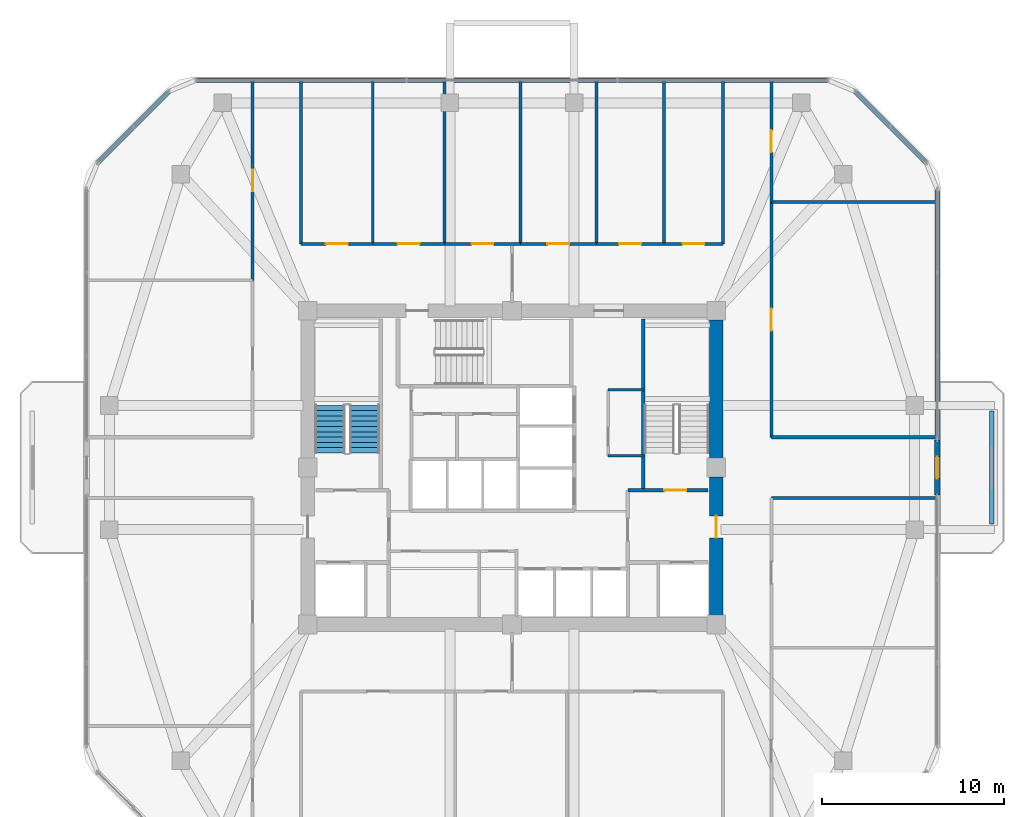
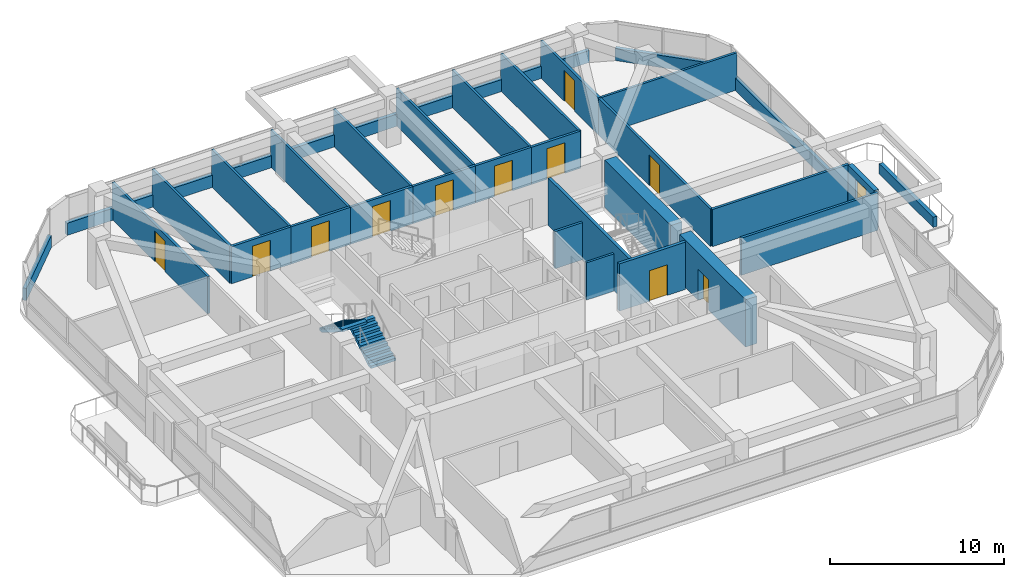
# One storey, part 10 of 13: 31 walls, 12 doors, 2 stair flights, 12 openings, 1 element without a shape of its own.
"""IFC4 building model written with IfcOpenShell, lengths in metres."""

import ifcopenshell
import ifcopenshell.guid

model = None  # the IFC model being written
_history = None  # IfcOwnerHistory: only IFC2X3 demands one
_inside = {}  # id of a spatial element -> (the spatial element, [elements in it])
_under = {}  # id of a project, library or spatial element -> (it, [spatial elements below it])
_declared = {}  # id of a project -> (the project, [libraries it declares])
_typed = {}  # id of a type object -> (the type object, [elements of that type])
_made_of = {}  # id of a material, layer set ... -> (it, [elements and type objects made of it])


def new_model(schema):
    """Start an empty IFC model of exactly this schema.

    Asked for "IFC4X3", IfcOpenShell would pick the latest addendum, in which some entities
    have other attributes; the version numbers below select the first issue.
    IFC2X3 requires an IfcOwnerHistory on every rooted entity: one is made here for all.
    """
    global model, _history
    if schema == "IFC4X3":
        model = ifcopenshell.file(schema_version=(4, 3, 0, 0))
    else:
        model = ifcopenshell.file(schema=schema)
    _inside.clear()
    _under.clear()
    _declared.clear()
    _typed.clear()
    _made_of.clear()
    _history = None
    if model.schema == "IFC2X3":
        org = make("IfcOrganization", Name="unknown")
        user = make(
            "IfcPersonAndOrganization",
            ThePerson=make("IfcPerson", FamilyName="unknown"),
            TheOrganization=org,
        )
        app = make(
            "IfcApplication",
            ApplicationDeveloper=org,
            Version="unknown",
            ApplicationFullName="unknown",
            ApplicationIdentifier="unknown",
        )
        _history = make(
            "IfcOwnerHistory",
            OwningUser=user,
            OwningApplication=app,
            ChangeAction="ADDED",
            CreationDate=0,
        )
    return model


def make(cls, **values):
    """One entity of the class cls with the attributes given. An attribute that is None is left unset."""
    return model.create_entity(
        cls, **{name: value for name, value in values.items() if value is not None}
    )


def rooted(cls, **values):
    """An entity with a GlobalId (a new one), such as an element, a storey or a relation."""
    return make(cls, GlobalId=ifcopenshell.guid.new(), OwnerHistory=_history, **values)


def si_unit(unit_type, name, prefix=None):
    """IfcSIUnit, for example si_unit("LENGTHUNIT", "METRE", prefix="MILLI")."""
    return make("IfcSIUnit", UnitType=unit_type, Prefix=prefix, Name=name)


def derived_unit(unit_type, elements):
    """IfcDerivedUnit: a product of units, each with its exponent."""
    return make(
        "IfcDerivedUnit",
        Elements=[
            make("IfcDerivedUnitElement", Unit=unit, Exponent=power)
            for unit, power in elements
        ],
        UnitType=unit_type,
    )


def assignment(units):
    """IfcUnitAssignment: the units of a project."""
    return None if units is None else make("IfcUnitAssignment", Units=units)


def point(xyz):
    """IfcCartesianPoint."""
    return None if xyz is None else make("IfcCartesianPoint", Coordinates=xyz)


def direction(xyz):
    """IfcDirection."""
    return None if xyz is None else make("IfcDirection", DirectionRatios=xyz)


def frame(location, z_axis=None, x_axis=None):
    """IfcAxis2Placement3D, a coordinate frame: its origin and axes. An axis left out is left unset."""
    return make(
        "IfcAxis2Placement3D",
        Location=point(location),
        Axis=direction(z_axis),
        RefDirection=direction(x_axis),
    )


def frame_2d(location, x_axis=None):
    """IfcAxis2Placement2D, a coordinate frame in the plane: its origin and x axis."""
    return make(
        "IfcAxis2Placement2D", Location=point(location), RefDirection=direction(x_axis)
    )


def origin():
    """The frame at (0, 0, 0) with its axes left unset."""
    return frame((0.0, 0.0, 0.0))


def place(relative_to, where):
    """IfcLocalPlacement: puts the frame where relative to a parent placement (None: the world)."""
    return make(
        "IfcLocalPlacement", PlacementRelTo=relative_to, RelativePlacement=where
    )


def context(
    kind, dimensions, precision=None, world=None, true_north=None, identifier=None
):
    """IfcGeometricRepresentationContext, for example the 3D "Model" context."""
    return make(
        "IfcGeometricRepresentationContext",
        ContextIdentifier=identifier,
        ContextType=kind,
        CoordinateSpaceDimension=dimensions,
        Precision=precision,
        WorldCoordinateSystem=world,
        TrueNorth=true_north,
    )


def subcontext(parent, identifier, kind, view, scale=None):
    """IfcGeometricRepresentationSubContext, for example "Body" below "Model"."""
    return make(
        "IfcGeometricRepresentationSubContext",
        ContextIdentifier=identifier,
        ContextType=kind,
        ParentContext=parent,
        TargetScale=scale,
        TargetView=view,
    )


def project(units=None, contexts=None):
    """IfcProject with its units and contexts."""
    return rooted(
        "IfcProject",
        Name="project",
        RepresentationContexts=contexts,
        UnitsInContext=assignment(units),
    )


def spatial(cls, under=None, at=None, **own):
    """A site, building, storey or space (cls), placed at a placement, below another one or the project."""
    s = rooted(cls, ObjectPlacement=at, **own)
    if under is not None:
        _under.setdefault(under.id(), (under, []))[1].append(s)
    return s


def polyline(points):
    """IfcPolyline through the points."""
    return make("IfcPolyline", Points=[point(p) for p in points])


def profile(cls, at=None, kind="AREA", **sizes):
    """A parametric profile (cls). Its sizes go by their IFC names, for example OverallWidth=200.0."""
    return make(cls, ProfileType=kind, Position=at, **sizes)


def rectangle(**sizes):
    """IfcRectangleProfileDef."""
    return profile("IfcRectangleProfileDef", **sizes)


def outline(outer, holes=None, kind="AREA"):
    """IfcArbitraryClosedProfileDef: a profile drawn as a closed curve; with holes, ...WithVoids."""
    if holes is None:
        return make("IfcArbitraryClosedProfileDef", ProfileType=kind, OuterCurve=outer)
    return make(
        "IfcArbitraryProfileDefWithVoids",
        ProfileType=kind,
        OuterCurve=outer,
        InnerCurves=holes,
    )


def extrude(swept, where, along, depth):
    """IfcExtrudedAreaSolid: the profile swept, set in the frame where, extruded along a direction by depth."""
    return make(
        "IfcExtrudedAreaSolid",
        SweptArea=swept,
        Position=where,
        ExtrudedDirection=direction(along),
        Depth=depth,
    )


def shape(context_of_items, identifier, shape_type, items):
    """IfcShapeRepresentation: the items that make up one representation, for example the "Body"."""
    return make(
        "IfcShapeRepresentation",
        ContextOfItems=context_of_items,
        RepresentationIdentifier=identifier,
        RepresentationType=shape_type,
        Items=items,
    )


def material(Name=None, Category=None):
    """IfcMaterial."""
    return make("IfcMaterial", Name=Name, Category=Category)


def layer(
    of_material, thickness, ventilated=None, Name=None, Category=None, Priority=None
):
    """IfcMaterialLayer: one layer of a wall or slab, of a material (None: an air gap)."""
    return make(
        "IfcMaterialLayer",
        Material=of_material,
        LayerThickness=thickness,
        IsVentilated=ventilated,
        Name=Name,
        Category=Category,
        Priority=Priority,
    )


def layer_set(layers, Name=None):
    """IfcMaterialLayerSet."""
    return make("IfcMaterialLayerSet", MaterialLayers=layers, LayerSetName=Name)


def made_of(thing, what):
    """Note that an element or type object is made of a material, layer set ...; save() writes the relation."""
    if what is not None:
        _made_of.setdefault(what.id(), (what, []))[1].append(thing)
    return thing


def type_object(cls, material=None, **own):
    """A type object (cls), such as IfcWallType, which elements share."""
    return made_of(rooted(cls, **own), material)


def element(
    cls,
    number,
    at=None,
    inside=None,
    cuts=None,
    type_object=None,
    material=None,
    context=None,
    identifier="Body",
    shape_type=None,
    held_by="IfcProductDefinitionShape",
    body=None,
    shapes=None,
    **own,
):
    """One element of the class cls, such as IfcWall. Its Tag is "e" and its number.

    at: its placement. inside: the storey or other place that contains it. cuts: it is an
    opening in that element (IfcRelVoidsElement). A single representation is given by context,
    identifier, shape_type and body (its items); several are given by shapes. held_by: the class
    of the entity that holds the representations. save() writes the other relations.
    """
    e = rooted(cls, Tag="e%d" % number, ObjectPlacement=at, **own)
    if body is not None:
        shapes = [shape(context, identifier, shape_type, body)]
    if shapes is not None:
        e.Representation = make(held_by, Representations=shapes)
    if inside is not None:
        _inside.setdefault(inside.id(), (inside, []))[1].append(e)
    if cuts is not None:
        rooted(
            "IfcRelVoidsElement", RelatingBuildingElement=cuts, RelatedOpeningElement=e
        )
    if type_object is not None:
        _typed.setdefault(type_object.id(), (type_object, []))[1].append(e)
    return made_of(e, material)


def fill(opening, filler):
    """IfcRelFillsElement: the door or window that sits in an opening."""
    return rooted(
        "IfcRelFillsElement",
        RelatingOpeningElement=opening,
        RelatedBuildingElement=filler,
    )


def aggregate(whole, parts):
    """IfcRelAggregates: a whole, such as a stair, and the parts it consists of."""
    return rooted("IfcRelAggregates", RelatingObject=whole, RelatedObjects=parts)


def save(model, path):
    """Write the relations noted so far, then the file.

    IfcRelAggregates (storeys below a building ...), IfcRelContainedInSpatialStructure (elements
    in a storey), IfcRelDefinesByType, IfcRelAssociatesMaterial and IfcRelDeclares: one each for
    every whole, place, type object, material and project.
    """
    for whole, parts in _under.values():
        aggregate(whole, parts)
    for where, things in _inside.values():
        rooted(
            "IfcRelContainedInSpatialStructure",
            RelatedElements=things,
            RelatingStructure=where,
        )
    for kind, things in _typed.values():
        rooted("IfcRelDefinesByType", RelatedObjects=things, RelatingType=kind)
    for what, things in _made_of.values():
        rooted("IfcRelAssociatesMaterial", RelatedObjects=things, RelatingMaterial=what)
    for by, libraries in _declared.values():
        rooted("IfcRelDeclares", RelatingContext=by, RelatedDefinitions=libraries)
    model.write(path)


model = new_model("IFC4")

# Units and contexts
model_context = context("Model", 3, precision=1e-05, world=origin(), true_north=direction((0.0, 1.0)))
body_context = subcontext(model_context, "Body", "Model", "MODEL_VIEW")
ifc_project = project(units=[si_unit("LENGTHUNIT", "METRE"), si_unit("AREAUNIT", "SQUARE_METRE"), si_unit("VOLUMEUNIT", "CUBIC_METRE"), si_unit("PLANEANGLEUNIT", "RADIAN"), si_unit("MASSUNIT", "GRAM", prefix="KILO"), derived_unit("THERMALTRANSMITTANCEUNIT", [(si_unit("POWERUNIT", "WATT"), 1), (si_unit("LENGTHUNIT", "METRE"), -2), (si_unit("THERMODYNAMICTEMPERATUREUNIT", "KELVIN"), -1)])], contexts=[model_context])

# Site, building, storey
site_placement = place(None, origin())
site = spatial("IfcSite", under=ifc_project, at=site_placement, CompositionType="ELEMENT")
building_placement = place(site_placement, origin())
building = spatial("IfcBuilding", under=site, at=building_placement, Name="Koralith Skygarden Medical Center", CompositionType="ELEMENT")
storey_placement = place(building_placement, frame((0.0, 0.0, 156.419921875)))
storey = spatial("IfcBuildingStorey", under=building, at=storey_placement, Name="L40", CompositionType="ELEMENT", Elevation=156.419921875)

# Walls
ifc_material_1 = material(Name="Gypsum Board Partition")
ifc_layer_1 = layer(ifc_material_1, 0.14990234375)
ifc_layer_set_1 = layer_set([ifc_layer_1], Name="Gypsum Board Partition")
wall_type_1 = type_object("IfcWallType", Name="Clinical Acoustic Partition 150", PredefinedType="PARTITIONING", material=ifc_layer_set_1)
for number, where, z_axis, x_axis, name in (
    (1, (42.27001953125, 26.5400390625, 0.0), (0.0, 0.0, 1.0), (1.0, 0.0, 0.0), "L40 Clinical Acoustic Partition 150 W-CORE-L40-ESUB-S"),
    (2, (42.27001953125, 30.159912109375, 0.0), (0.0, 0.0, 1.0), (1.0, 0.0, 0.0), "L40 Clinical Acoustic Partition 150 W-CORE-L40-ESUB-N"),
):
    element("IfcWall", number, at=place(storey_placement, frame(where, z_axis=z_axis, x_axis=x_axis)), inside=storey, type_object=wall_type_1, Name=name, PredefinedType="PARTITIONING", context=body_context, shape_type="SweptSolid", body=[
        extrude(rectangle(XDim=1.929931640625, YDim=0.14990234375, at=frame_2d((0.96484375, 0.0))), origin(), (0.0, 0.0, 1.0), 2.610107421875),
    ])
for number, where, z_axis, x_axis, name in (
    (3, (29.3701171875, 38.159912109375, 0.0), (0.0, 0.0, 1.0), (0.0, 1.0, 0.0), "L40 Clinical Acoustic Partition 150 W-PART-L40-N-01"),
    (4, (33.301025390625, 38.159912109375, 0.0), (0.0, 0.0, 1.0), (0.0, 1.0, 0.0), "L40 Clinical Acoustic Partition 150 W-PART-L40-N-02"),
    (5, (37.4619140625, 38.159912109375, 0.0), (0.0, 0.0, 1.0), (0.0, 1.0, 0.0), "L40 Clinical Acoustic Partition 150 W-PART-L40-N-03"),
    (6, (41.6240234375, 38.159912109375, 0.0), (0.0, 0.0, 1.0), (0.0, 1.0, 0.0), "L40 Clinical Acoustic Partition 150 W-PART-L40-N-04"),
    (7, (45.322998046875, 38.159912109375, 0.0), (0.0, 0.0, 1.0), (0.0, 1.0, 0.0), "L40 Clinical Acoustic Partition 150 W-PART-L40-N-05"),
):
    element("IfcWall", number, at=place(storey_placement, frame(where, z_axis=z_axis, x_axis=x_axis)), inside=storey, type_object=wall_type_1, Name=name, PredefinedType="PARTITIONING", context=body_context, shape_type="SweptSolid", body=[
        extrude(rectangle(XDim=8.940185546875, YDim=0.14990234375, at=frame_2d((4.47021484375, 0.0))), origin(), (0.0, 0.0, 1.0), 2.610107421875),
    ])
wall_1_placement = place(storey_placement, frame((51.2099609375, 40.4560546875, 0.0), z_axis=(0.0, 0.0, 1.0), x_axis=(1.0, 0.0, 0.0)))
element("IfcWall", 8, at=wall_1_placement, inside=storey, type_object=wall_type_1, Name="L40 Clinical Acoustic Partition 150 W-PART-L40-EN-01", PredefinedType="PARTITIONING", context=body_context, shape_type="SweptSolid", body=[
    extrude(rectangle(XDim=9.073974609375, YDim=0.14990234375, at=frame_2d((4.537109375, 0.0))), origin(), (0.0, 0.0, 1.0), 2.610107421875),
])
ifc_layer_2 = layer(ifc_material_1, 0.1650390625)
ifc_layer_set_2 = layer_set([ifc_layer_2], Name="Gypsum Board Partition")
wall_type_2 = type_object("IfcWallType", Name="Clinical Corridor Partition 165", PredefinedType="PARTITIONING", material=ifc_layer_set_2)
for number, where, z_axis, x_axis, name in (
    (9, (25.429931640625, 38.159912109375, 0.0), (0.0, 0.0, 1.0), (0.0, 1.0, 0.0), "L40 Clinical Corridor Partition 165 W-HCOR-L40-NW"),
    (10, (48.570068359375, 38.159912109375, 0.0), (0.0, 0.0, 1.0), (0.0, 1.0, 0.0), "L40 Clinical Corridor Partition 165 W-HCOR-L40-NE"),
):
    element("IfcWall", number, at=place(storey_placement, frame(where, z_axis=z_axis, x_axis=x_axis)), inside=storey, type_object=wall_type_2, Name=name, PredefinedType="PARTITIONING", context=body_context, shape_type="SweptSolid", body=[
        extrude(rectangle(XDim=8.940185546875, YDim=0.1650390625, at=frame_2d((4.47021484375, 0.0))), origin(), (0.0, 0.0, 1.0), 2.610107421875),
    ])
for number, where, z_axis, x_axis, name in (
    (11, (51.2099609375, 24.239990234375, 0.0), (0.0, 0.0, 1.0), (1.0, 0.0, 0.0), "L40 Clinical Corridor Partition 165 W-HCOR-L40-EWS-E"),
    (12, (51.2099609375, 27.56005859375, 0.0), (0.0, 0.0, 1.0), (1.0, 0.0, 0.0), "L40 Clinical Corridor Partition 165 W-HCOR-L40-EWN-E"),
):
    element("IfcWall", number, at=place(storey_placement, frame(where, z_axis=z_axis, x_axis=x_axis)), inside=storey, type_object=wall_type_2, Name=name, PredefinedType="PARTITIONING", context=body_context, shape_type="SweptSolid", body=[
        extrude(rectangle(XDim=9.073974609375, YDim=0.1650390625, at=frame_2d((4.537109375, 0.0))), origin(), (0.0, 0.0, 1.0), 2.610107421875),
    ])

# Wall, opening, door
wall_2_placement = place(storey_placement, frame((25.429931640625, 38.159912109375, 0.0), z_axis=(0.0, 0.0, 1.0), x_axis=(1.0, 0.0, 0.0)))
wall_2 = element("IfcWall", 13, at=wall_2_placement, inside=storey, type_object=wall_type_2, Name="L40 Clinical Corridor Partition 165 W-CORR-L40-N-01", PredefinedType="PARTITIONING", context=body_context, shape_type="SweptSolid", body=[
    extrude(rectangle(XDim=3.940185546875, YDim=0.1650390625, at=frame_2d((1.97021484375, 0.0))), origin(), (0.0, 0.0, 1.0), 2.610107421875),
])
opening_1_placement = place(wall_2_placement, frame((1.3701171875, 0.0, 0.0)))
opening_1 = element("IfcOpeningElement", 14, at=opening_1_placement, cuts=wall_2, Name="Opening D-CLN", PredefinedType="OPENING", context=body_context, shape_type="SweptSolid", body=[
    extrude(rectangle(XDim=1.199951171875, YDim=2.14990234375, at=frame_2d((0.60009765625, 1.074951171875))), frame((0.0, 0.092529296875, 0.0), z_axis=(0.0, -1.0, 0.0), x_axis=(1.0, 0.0, 0.0)), (0.0, 0.0, 1.0), 0.18505859375),
])
ifc_material_2 = material(Name="Aluminium 6063-T6", Category="aluminium")
door_type_1 = type_object("IfcDoorType", Name="Clinical Corridor Door D-CLN 1200", OperationType="NOTDEFINED", PredefinedType="DOOR", material=ifc_material_2)
door_1_placement = place(opening_1_placement, origin())
door_1 = element("IfcDoor", 15, at=door_1_placement, inside=storey, type_object=door_type_1, Name="L40 Renal Mobility Exercise Hall 01 Door", OperationType="SINGLE_SWING_RIGHT", OverallHeight=2.14990234375, OverallWidth=1.199951171875, PredefinedType="DOOR", context=body_context, shape_type="SweptSolid", body=[
    extrude(rectangle(XDim=1.199951171875, YDim=2.14990234375, at=frame_2d((0.60009765625, 1.074951171875))), frame((0.0, 0.02490234375, 0.0), z_axis=(0.0, -1.0, 0.0), x_axis=(1.0, 0.0, 0.0)), (0.0, 0.0, 1.0), 0.050048828125),
])
fill(opening_1, door_1)

wall_3_placement = place(storey_placement, frame((29.3701171875, 38.159912109375, 0.0), z_axis=(0.0, 0.0, 1.0), x_axis=(1.0, 0.0, 0.0)))
wall_3 = element("IfcWall", 16, at=wall_3_placement, inside=storey, type_object=wall_type_2, Name="L40 Clinical Corridor Partition 165 W-CORR-L40-N-02", PredefinedType="PARTITIONING", context=body_context, shape_type="SweptSolid", body=[
    extrude(rectangle(XDim=3.930908203125, YDim=0.1650390625, at=frame_2d((1.96533203125, 0.0))), origin(), (0.0, 0.0, 1.0), 2.610107421875),
])
opening_2_placement = place(wall_3_placement, frame((1.365966796875, 0.0, 0.0)))
opening_2 = element("IfcOpeningElement", 17, at=opening_2_placement, cuts=wall_3, Name="Opening D-CLN", PredefinedType="OPENING", context=body_context, shape_type="SweptSolid", body=[
    extrude(rectangle(XDim=1.199951171875, YDim=2.14990234375, at=frame_2d((0.60009765625, 1.074951171875))), frame((0.0, 0.092529296875, 0.0), z_axis=(0.0, -1.0, 0.0), x_axis=(1.0, 0.0, 0.0)), (0.0, 0.0, 1.0), 0.18505859375),
])
door_2_placement = place(opening_2_placement, origin())
door_2 = element("IfcDoor", 18, at=door_2_placement, inside=storey, type_object=door_type_1, Name="L40 Dialysis Recovery Sitting Lounge 02 Door", OperationType="SINGLE_SWING_LEFT", OverallHeight=2.14990234375, OverallWidth=1.199951171875, PredefinedType="DOOR", context=body_context, shape_type="SweptSolid", body=[
    extrude(rectangle(XDim=1.199951171875, YDim=2.14990234375, at=frame_2d((0.60009765625, 1.074951171875))), frame((0.0, 0.02490234375, 0.0), z_axis=(0.0, -1.0, 0.0), x_axis=(1.0, 0.0, 0.0)), (0.0, 0.0, 1.0), 0.050048828125),
])
fill(opening_2, door_2)

wall_4_placement = place(storey_placement, frame((33.301025390625, 38.159912109375, 0.0), z_axis=(0.0, 0.0, 1.0), x_axis=(1.0, 0.0, 0.0)))
wall_4 = element("IfcWall", 19, at=wall_4_placement, inside=storey, type_object=wall_type_2, Name="L40 Clinical Corridor Partition 165 W-CORR-L40-N-03", PredefinedType="PARTITIONING", context=body_context, shape_type="SweptSolid", body=[
    extrude(rectangle(XDim=4.160888671875, YDim=0.1650390625, at=frame_2d((2.08056640625, 0.0))), origin(), (0.0, 0.0, 1.0), 2.610107421875),
])
opening_3_placement = place(wall_4_placement, frame((1.48095703125, 0.0, 0.0)))
opening_3 = element("IfcOpeningElement", 20, at=opening_3_placement, cuts=wall_4, Name="Opening D-CLN", PredefinedType="OPENING", context=body_context, shape_type="SweptSolid", body=[
    extrude(rectangle(XDim=1.199951171875, YDim=2.14990234375, at=frame_2d((0.60009765625, 1.074951171875))), frame((0.0, 0.092529296875, 0.0), z_axis=(0.0, -1.0, 0.0), x_axis=(1.0, 0.0, 0.0)), (0.0, 0.0, 1.0), 0.18505859375),
])
door_3_placement = place(opening_3_placement, origin())
door_3 = element("IfcDoor", 21, at=door_3_placement, inside=storey, type_object=door_type_1, Name="L40 Renal Dietetics Classroom 03 Door", OperationType="SINGLE_SWING_RIGHT", OverallHeight=2.14990234375, OverallWidth=1.199951171875, PredefinedType="DOOR", context=body_context, shape_type="SweptSolid", body=[
    extrude(rectangle(XDim=1.199951171875, YDim=2.14990234375, at=frame_2d((0.60009765625, 1.074951171875))), frame((0.0, 0.02490234375, 0.0), z_axis=(0.0, -1.0, 0.0), x_axis=(1.0, 0.0, 0.0)), (0.0, 0.0, 1.0), 0.050048828125),
])
fill(opening_3, door_3)

wall_5_placement = place(storey_placement, frame((37.4619140625, 38.159912109375, 0.0), z_axis=(0.0, 0.0, 1.0), x_axis=(1.0, 0.0, 0.0)))
wall_5 = element("IfcWall", 22, at=wall_5_placement, inside=storey, type_object=wall_type_2, Name="L40 Clinical Corridor Partition 165 W-CORR-L40-N-04", PredefinedType="PARTITIONING", context=body_context, shape_type="SweptSolid", body=[
    extrude(rectangle(XDim=4.162109375, YDim=0.1650390625, at=frame_2d((2.0810546875, 0.0))), origin(), (0.0, 0.0, 1.0), 2.610107421875),
])
opening_4_placement = place(wall_5_placement, frame((1.48095703125, 0.0, 0.0)))
opening_4 = element("IfcOpeningElement", 23, at=opening_4_placement, cuts=wall_5, Name="Opening D-CLN", PredefinedType="OPENING", context=body_context, shape_type="SweptSolid", body=[
    extrude(rectangle(XDim=1.199951171875, YDim=2.14990234375, at=frame_2d((0.60009765625, 1.074951171875))), frame((0.0, 0.092529296875, 0.0), z_axis=(0.0, -1.0, 0.0), x_axis=(1.0, 0.0, 0.0)), (0.0, 0.0, 1.0), 0.18505859375),
])
door_4_placement = place(opening_4_placement, origin())
door_4 = element("IfcDoor", 24, at=door_4_placement, inside=storey, type_object=door_type_1, Name="L40 Public Accessible Restroom WC 04 Door", OperationType="SINGLE_SWING_LEFT", OverallHeight=2.14990234375, OverallWidth=1.199951171875, PredefinedType="DOOR", context=body_context, shape_type="SweptSolid", body=[
    extrude(rectangle(XDim=1.199951171875, YDim=2.14990234375, at=frame_2d((0.60009765625, 1.074951171875))), frame((0.0, 0.02490234375, 0.0), z_axis=(0.0, -1.0, 0.0), x_axis=(1.0, 0.0, 0.0)), (0.0, 0.0, 1.0), 0.050048828125),
])
fill(opening_4, door_4)

wall_6_placement = place(storey_placement, frame((41.6240234375, 38.159912109375, 0.0), z_axis=(0.0, 0.0, 1.0), x_axis=(1.0, 0.0, 0.0)))
wall_6 = element("IfcWall", 25, at=wall_6_placement, inside=storey, type_object=wall_type_2, Name="L40 Clinical Corridor Partition 165 W-CORR-L40-N-05", PredefinedType="PARTITIONING", context=body_context, shape_type="SweptSolid", body=[
    extrude(rectangle(XDim=3.698974609375, YDim=0.1650390625, at=frame_2d((1.849609375, 0.0))), origin(), (0.0, 0.0, 1.0), 2.610107421875),
])
opening_5_placement = place(wall_6_placement, frame((1.2490234375, 0.0, 0.0)))
opening_5 = element("IfcOpeningElement", 26, at=opening_5_placement, cuts=wall_6, Name="Opening D-CLN", PredefinedType="OPENING", context=body_context, shape_type="SweptSolid", body=[
    extrude(rectangle(XDim=1.199951171875, YDim=2.14990234375, at=frame_2d((0.60009765625, 1.074951171875))), frame((0.0, 0.092529296875, 0.0), z_axis=(0.0, -1.0, 0.0), x_axis=(1.0, 0.0, 0.0)), (0.0, 0.0, 1.0), 0.18505859375),
])
door_5_placement = place(opening_5_placement, origin())
door_5 = element("IfcDoor", 27, at=door_5_placement, inside=storey, type_object=door_type_1, Name="L40 Renal Mobility Exercise Hall 05 Door", OperationType="SINGLE_SWING_RIGHT", OverallHeight=2.14990234375, OverallWidth=1.199951171875, PredefinedType="DOOR", context=body_context, shape_type="SweptSolid", body=[
    extrude(rectangle(XDim=1.199951171875, YDim=2.14990234375, at=frame_2d((0.60009765625, 1.074951171875))), frame((0.0, 0.02490234375, 0.0), z_axis=(0.0, -1.0, 0.0), x_axis=(1.0, 0.0, 0.0)), (0.0, 0.0, 1.0), 0.050048828125),
])
fill(opening_5, door_5)

wall_7_placement = place(storey_placement, frame((45.322998046875, 38.159912109375, 0.0), z_axis=(0.0, 0.0, 1.0), x_axis=(1.0, 0.0, 0.0)))
wall_7 = element("IfcWall", 28, at=wall_7_placement, inside=storey, type_object=wall_type_2, Name="L40 Clinical Corridor Partition 165 W-CORR-L40-N-06", PredefinedType="PARTITIONING", context=body_context, shape_type="SweptSolid", body=[
    extrude(rectangle(XDim=3.2470703125, YDim=0.1650390625, at=frame_2d((1.62353515625, 0.0))), origin(), (0.0, 0.0, 1.0), 2.610107421875),
])
opening_6_placement = place(wall_7_placement, frame((1.02294921875, 0.0, 0.0)))
opening_6 = element("IfcOpeningElement", 29, at=opening_6_placement, cuts=wall_7, Name="Opening D-CLN", PredefinedType="OPENING", context=body_context, shape_type="SweptSolid", body=[
    extrude(rectangle(XDim=1.199951171875, YDim=2.14990234375, at=frame_2d((0.60009765625, 1.074951171875))), frame((0.0, 0.092529296875, 0.0), z_axis=(0.0, -1.0, 0.0), x_axis=(1.0, 0.0, 0.0)), (0.0, 0.0, 1.0), 0.18505859375),
])
door_6_placement = place(opening_6_placement, origin())
door_6 = element("IfcDoor", 30, at=door_6_placement, inside=storey, type_object=door_type_1, Name="L40 Dialysis Recovery Sitting Lounge 06 Door", OperationType="SINGLE_SWING_LEFT", OverallHeight=2.14990234375, OverallWidth=1.199951171875, PredefinedType="DOOR", context=body_context, shape_type="SweptSolid", body=[
    extrude(rectangle(XDim=1.199951171875, YDim=2.14990234375, at=frame_2d((0.60009765625, 1.074951171875))), frame((0.0, 0.02490234375, 0.0), z_axis=(0.0, -1.0, 0.0), x_axis=(1.0, 0.0, 0.0)), (0.0, 0.0, 1.0), 0.050048828125),
])
fill(opening_6, door_6)

wall_8_placement = place(storey_placement, frame((22.7900390625, 36.157958984375, 0.0), z_axis=(0.0, 0.0, 1.0), x_axis=(0.0, 1.0, 0.0)))
wall_8 = element("IfcWall", 31, at=wall_8_placement, inside=storey, type_object=wall_type_2, Name="L40 Clinical Corridor Partition 165 W-CORR-L40-WN-02", PredefinedType="PARTITIONING", context=body_context, shape_type="SweptSolid", body=[
    extrude(rectangle(XDim=10.942138671875, YDim=0.1650390625, at=frame_2d((5.47119140625, 0.0))), origin(), (0.0, 0.0, 1.0), 2.610107421875),
])
opening_7_placement = place(wall_8_placement, frame((4.87109375, 0.0, 0.0)))
opening_7 = element("IfcOpeningElement", 32, at=opening_7_placement, cuts=wall_8, Name="Opening D-CLN", PredefinedType="OPENING", context=body_context, shape_type="SweptSolid", body=[
    extrude(rectangle(XDim=1.199951171875, YDim=2.14990234375, at=frame_2d((0.60009765625, 1.074951171875))), frame((0.0, 0.092529296875, 0.0), z_axis=(0.0, -1.0, 0.0), x_axis=(1.0, 0.0, 0.0)), (0.0, 0.0, 1.0), 0.18505859375),
])
door_7_placement = place(opening_7_placement, frame((1.199951171875, 0.0, 0.0), z_axis=(0.0, 0.0, 1.0), x_axis=(-1.0, 0.0, 0.0)))
door_7 = element("IfcDoor", 33, at=door_7_placement, inside=storey, type_object=door_type_1, Name="L40 Renal Mobility Exercise Hall 13 Door", OperationType="SINGLE_SWING_RIGHT", OverallHeight=2.14990234375, OverallWidth=1.199951171875, PredefinedType="DOOR", context=body_context, shape_type="SweptSolid", body=[
    extrude(rectangle(XDim=1.199951171875, YDim=2.14990234375, at=frame_2d((0.60009765625, 1.074951171875))), frame((0.0, 0.02490234375, 0.0), z_axis=(0.0, -1.0, 0.0), x_axis=(1.0, 0.0, 0.0)), (0.0, 0.0, 1.0), 0.050048828125),
])
fill(opening_7, door_7)

wall_9_placement = place(storey_placement, frame((51.2099609375, 27.56005859375, 0.0), z_axis=(0.0, 0.0, 1.0), x_axis=(0.0, 1.0, 0.0)))
wall_9 = element("IfcWall", 34, at=wall_9_placement, inside=storey, type_object=wall_type_2, Name="L40 Clinical Corridor Partition 165 W-CORR-L40-EN-01", PredefinedType="PARTITIONING", context=body_context, shape_type="SweptSolid", body=[
    extrude(rectangle(XDim=12.89599609375, YDim=0.1650390625, at=frame_2d((6.447998046875, 0.0))), origin(), (0.0, 0.0, 1.0), 2.610107421875),
])
opening_8_placement = place(wall_9_placement, frame((5.847900390625, 0.0, 0.0)))
opening_8 = element("IfcOpeningElement", 35, at=opening_8_placement, cuts=wall_9, Name="Opening D-CLN", PredefinedType="OPENING", context=body_context, shape_type="SweptSolid", body=[
    extrude(rectangle(XDim=1.199951171875, YDim=2.14990234375, at=frame_2d((0.60009765625, 1.074951171875))), frame((0.0, 0.092529296875, 0.0), z_axis=(0.0, -1.0, 0.0), x_axis=(1.0, 0.0, 0.0)), (0.0, 0.0, 1.0), 0.18505859375),
])
door_8_placement = place(opening_8_placement, origin())
door_8 = element("IfcDoor", 36, at=door_8_placement, inside=storey, type_object=door_type_1, Name="L40 Clinical Consultation Office 16 Door", OperationType="SINGLE_SWING_LEFT", OverallHeight=2.14990234375, OverallWidth=1.199951171875, PredefinedType="DOOR", context=body_context, shape_type="SweptSolid", body=[
    extrude(rectangle(XDim=1.199951171875, YDim=2.14990234375, at=frame_2d((0.60009765625, 1.074951171875))), frame((0.0, 0.02490234375, 0.0), z_axis=(0.0, -1.0, 0.0), x_axis=(1.0, 0.0, 0.0)), (0.0, 0.0, 1.0), 0.050048828125),
])
fill(opening_8, door_8)

wall_10_placement = place(storey_placement, frame((51.2099609375, 40.4560546875, 0.0), z_axis=(0.0, 0.0, 1.0), x_axis=(0.0, 1.0, 0.0)))
wall_10 = element("IfcWall", 37, at=wall_10_placement, inside=storey, type_object=wall_type_2, Name="L40 Clinical Corridor Partition 165 W-CORR-L40-EN-02", PredefinedType="PARTITIONING", context=body_context, shape_type="SweptSolid", body=[
    extrude(rectangle(XDim=6.64404296875, YDim=0.1650390625, at=frame_2d((3.322021484375, 0.0))), origin(), (0.0, 0.0, 1.0), 2.610107421875),
])
opening_9_placement = place(wall_10_placement, frame((2.721923828125, 0.0, 0.0)))
opening_9 = element("IfcOpeningElement", 38, at=opening_9_placement, cuts=wall_10, Name="Opening D-CLN", PredefinedType="OPENING", context=body_context, shape_type="SweptSolid", body=[
    extrude(rectangle(XDim=1.199951171875, YDim=2.14990234375, at=frame_2d((0.60009765625, 1.074951171875))), frame((0.0, 0.092529296875, 0.0), z_axis=(0.0, -1.0, 0.0), x_axis=(1.0, 0.0, 0.0)), (0.0, 0.0, 1.0), 0.18505859375),
])
door_9_placement = place(opening_9_placement, origin())
door_9 = element("IfcDoor", 39, at=door_9_placement, inside=storey, type_object=door_type_1, Name="L40 Renal Mobility Exercise Hall 17 Door", OperationType="SINGLE_SWING_RIGHT", OverallHeight=2.14990234375, OverallWidth=1.199951171875, PredefinedType="DOOR", context=body_context, shape_type="SweptSolid", body=[
    extrude(rectangle(XDim=1.199951171875, YDim=2.14990234375, at=frame_2d((0.60009765625, 1.074951171875))), frame((0.0, 0.02490234375, 0.0), z_axis=(0.0, -1.0, 0.0), x_axis=(1.0, 0.0, 0.0)), (0.0, 0.0, 1.0), 0.050048828125),
])
fill(opening_9, door_9)

# Walls
ifc_material_3 = material(Name="Warm Oolitic Limestone Cladding", Category="masonry")
ifc_layer_3 = layer(ifc_material_3, 0.239990234375)
ifc_layer_set_3 = layer_set([ifc_layer_3], Name="Warm Oolitic Limestone Cladding")
wall_type_3 = type_object("IfcWallType", Name="Limestone Spandrel Sill Backup Wall 240", PredefinedType="SOLIDWALL", material=ifc_layer_set_3)
wall_11_placement = place(storey_placement, frame((60.303955078125, 27.43994140625, 0.0), z_axis=(0.0, 0.0, 1.0), x_axis=(0.0, 1.0, 0.0)))
element("IfcWall", 40, at=wall_11_placement, inside=storey, type_object=wall_type_3, Name="L40 Sill Spandrel E-R", PredefinedType="SOLIDWALL", context=body_context, shape_type="SweptSolid", body=[
    extrude(rectangle(XDim=13.705078125, YDim=0.239990234375, at=frame_2d((6.8525390625, 0.0))), origin(), (0.0, 0.0, 1.0), 0.85009765625),
])
wall_12_placement = place(storey_placement, frame((59.702880859375, 42.595947265625, 0.0), z_axis=(0.0, 0.0, 1.0), x_axis=(-0.707084777957, 0.707128783731, 0.0)))
element("IfcWall", 41, at=wall_12_placement, inside=storey, type_object=wall_type_3, Name="L40 Sill Spandrel NE", PredefinedType="SOLIDWALL", context=body_context, shape_type="SweptSolid", body=[
    extrude(rectangle(XDim=5.5478515625, YDim=0.239990234375, at=frame_2d((2.77392578125, 0.0))), origin(), (0.0, 0.0, 1.0), 0.85009765625),
])
wall_13_placement = place(storey_placement, frame((54.3291015625, 47.1201171875, 0.0), z_axis=(0.0, 0.0, 1.0), x_axis=(-1.0, 0.0, 0.0)))
element("IfcWall", 42, at=wall_13_placement, inside=storey, type_object=wall_type_3, Name="L40 Sill Spandrel N", PredefinedType="SOLIDWALL", context=body_context, shape_type="SweptSolid", body=[
    extrude(rectangle(XDim=34.658203125, YDim=0.239990234375, at=frame_2d((17.3291015625, 0.0))), origin(), (0.0, 0.0, 1.0), 0.85009765625),
])
wall_14_placement = place(storey_placement, frame((18.219970703125, 46.51904296875, 0.0), z_axis=(0.0, 0.0, 1.0), x_axis=(-0.707084777957, -0.707128783731, 0.0)))
element("IfcWall", 43, at=wall_14_placement, inside=storey, type_object=wall_type_3, Name="L40 Sill Spandrel NW", PredefinedType="SOLIDWALL", context=body_context, shape_type="SweptSolid", body=[
    extrude(rectangle(XDim=5.5478515625, YDim=0.239990234375, at=frame_2d((2.77392578125, 0.0))), origin(), (0.0, 0.0, 1.0), 0.85009765625),
])

# Wall, opening, door
ifc_material_4 = material(Name="Concrete C70/85", Category="concrete")
ifc_layer_4 = layer(ifc_material_4, 0.75)
ifc_layer_set_4 = layer_set([ifc_layer_4], Name="Concrete C70/85")
wall_type_4 = type_object("IfcWallType", Name="Mid Core Shear Wall 750", PredefinedType="SHEAR", material=ifc_layer_set_4)
wall_15_placement = place(storey_placement, frame((48.199951171875, 17.804931640625, 0.0), z_axis=(0.0, 0.0, 1.0), x_axis=(0.0, 1.0, 0.0)))
wall_15 = element("IfcWall", 44, at=wall_15_placement, inside=storey, type_object=wall_type_4, Name="L40 Core Shear Wall Segment 3", PredefinedType="SHEAR", context=body_context, shape_type="SweptSolid", body=[
    extrude(rectangle(XDim=7.590087890625, YDim=0.75, at=frame_2d((3.794921875, 0.0))), origin(), (0.0, 0.0, 1.0), 3.320068359375),
])
opening_10_placement = place(wall_15_placement, frame((4.2451171875, 0.0, 0.0)))
opening_10 = element("IfcOpeningElement", 45, at=opening_10_placement, cuts=wall_15, Name="Opening D-ST60", PredefinedType="OPENING", context=body_context, shape_type="SweptSolid", body=[
    extrude(rectangle(XDim=1.199951171875, YDim=2.14990234375, at=frame_2d((0.60009765625, 1.074951171875))), frame((0.0, 0.385009765625, 0.0), z_axis=(0.0, -1.0, 0.0), x_axis=(1.0, 0.0, 0.0)), (0.0, 0.0, 1.0), 0.77001953125),
])
ifc_material_5 = material(Name="Steel ASTM A500 Grade C", Category="steel")
door_type_2 = type_object("IfcDoorType", Name="Smokeproof Stair Fire Door FD60S 1200", OperationType="NOTDEFINED", PredefinedType="DOOR", material=ifc_material_5)
door_10_placement = place(opening_10_placement, frame((1.199951171875, 0.0, 0.0), z_axis=(0.0, 0.0, 1.0), x_axis=(-1.0, 0.0, 0.0)))
door_10 = element("IfcDoor", 46, at=door_10_placement, inside=storey, type_object=door_type_2, Name="L40 East Corridor to Firefighting Lobby Door", OperationType="SINGLE_SWING_RIGHT", OverallHeight=2.14990234375, OverallWidth=1.199951171875, PredefinedType="DOOR", context=body_context, shape_type="SweptSolid", body=[
    extrude(rectangle(XDim=1.199951171875, YDim=2.14990234375, at=frame_2d((0.60009765625, 1.074951171875))), frame((0.0, 0.02490234375, 0.0), z_axis=(0.0, -1.0, 0.0), x_axis=(1.0, 0.0, 0.0)), (0.0, 0.0, 1.0), 0.050048828125),
])
fill(opening_10, door_10)

# Wall
wall_16_placement = place(storey_placement, frame((48.199951171875, 26.405029296875, 0.0), z_axis=(0.0, 0.0, 1.0), x_axis=(0.0, 1.0, 0.0)))
element("IfcWall", 47, at=wall_16_placement, inside=storey, type_object=wall_type_4, Name="L40 Core Shear Wall Segment 4", PredefinedType="SHEAR", context=body_context, shape_type="SweptSolid", body=[
    extrude(rectangle(XDim=7.590087890625, YDim=0.75, at=frame_2d((3.794921875, 0.0))), origin(), (0.0, 0.0, 1.0), 3.320068359375),
])

# Wall, opening, door
ifc_layer_5 = layer(ifc_material_3, 0.300048828125)
ifc_layer_set_5 = layer_set([ifc_layer_5], Name="Warm Oolitic Limestone Cladding")
wall_type_5 = type_object("IfcWallType", Name="Oolitic Limestone Insulated Facade Wall 300", PredefinedType="SOLIDWALL", material=ifc_layer_set_5)
wall_17_placement = place(storey_placement, frame((60.303955078125, 24.39990234375, 0.0), z_axis=(0.0, 0.0, 1.0), x_axis=(0.0, 1.0, 0.0)))
wall_17 = element("IfcWall", 48, at=wall_17_placement, inside=storey, type_object=wall_type_5, Name="L40 Terrace Portal Wall E", PredefinedType="SOLIDWALL", context=body_context, shape_type="SweptSolid", body=[
    extrude(rectangle(XDim=3.0, YDim=0.300048828125, at=frame_2d((1.5, 0.0))), origin(), (0.0, 0.0, 1.0), 2.670166015625),
])
opening_11_placement = place(wall_17_placement, frame((0.89990234375, 0.0, 0.0)))
opening_11 = element("IfcOpeningElement", 49, at=opening_11_placement, cuts=wall_17, Name="Opening D-BAL", PredefinedType="OPENING", context=body_context, shape_type="SweptSolid", body=[
    extrude(rectangle(XDim=1.199951171875, YDim=2.199951171875, at=frame_2d((0.60009765625, 1.10009765625))), frame((0.0, 0.159912109375, 0.0), z_axis=(0.0, -1.0, 0.0), x_axis=(1.0, 0.0, 0.0)), (0.0, 0.0, 1.0), 0.320068359375),
])
door_type_3 = type_object("IfcDoorType", Name="Planted Balcony Glazed Terrace Door D-BAL 1200", OperationType="NOTDEFINED", PredefinedType="DOOR", material=ifc_material_2)
door_11_placement = place(opening_11_placement, origin())
door_11 = element("IfcDoor", 50, at=door_11_placement, inside=storey, type_object=door_type_3, Name="L40 E Outdoor Terrace Access Door", OperationType="SINGLE_SWING_LEFT", OverallHeight=2.199951171875, OverallWidth=1.199951171875, PredefinedType="DOOR", context=body_context, shape_type="SweptSolid", body=[
    extrude(rectangle(XDim=1.199951171875, YDim=2.199951171875, at=frame_2d((0.60009765625, 1.10009765625))), frame((0.0, 0.02490234375, 0.0), z_axis=(0.0, -1.0, 0.0), x_axis=(1.0, 0.0, 0.0)), (0.0, 0.0, 1.0), 0.050048828125),
])
fill(opening_11, door_11)

# Walls
ifc_material_6 = material(Name="Precast concrete C40/50", Category="concrete")
ifc_layer_6 = layer(ifc_material_6, 0.25)
ifc_layer_set_6 = layer_set([ifc_layer_6], Name="Precast concrete C40/50")
wall_type_6 = type_object("IfcWallType", Name="Structural Concrete Balcony Planter Kerb 250", PredefinedType="PARAPET", material=ifc_layer_set_6)
wall_18_placement = place(storey_placement, frame((63.283935546875, 22.800048828125, 0.0), z_axis=(0.0, 0.0, 1.0), x_axis=(0.0, 1.0, 0.0)))
element("IfcWall", 51, at=wall_18_placement, inside=storey, type_object=wall_type_6, Name="L40 E Structural Tree PLANTER Box", PredefinedType="PARAPET", context=body_context, shape_type="SweptSolid", body=[
    extrude(rectangle(XDim=6.199951171875, YDim=0.25, at=frame_2d((3.10009765625, 0.0))), origin(), (0.0, 0.0, 1.0), 0.719970703125),
])
ifc_material_7 = material(Name="Concrete C45/55", Category="concrete")
ifc_layer_7 = layer(ifc_material_7, 0.199951171875)
ifc_layer_set_7 = layer_set([ifc_layer_7], Name="Concrete C45/55")
wall_type_7 = type_object("IfcWallType", Name="Structural Stair Shaft Wall 200", PredefinedType="SHEAR", material=ifc_layer_set_7)
wall_19_placement = place(storey_placement, frame((44.199951171875, 24.64990234375, 0.0), z_axis=(0.0, 0.0, 1.0), x_axis=(0.0, 1.0, 0.0)))
element("IfcWall", 52, at=wall_19_placement, inside=storey, type_object=wall_type_7, Name="L40 Structural Stair Shaft Wall 200 W-CORE-L40-ST2-W", PredefinedType="SHEAR", context=body_context, shape_type="SweptSolid", body=[
    extrude(rectangle(XDim=9.400146484375, YDim=0.199951171875, at=frame_2d((4.7001953125, 0.0))), origin(), (0.0, 0.0, 1.0), 3.320068359375),
])

# Wall, opening, door
wall_20_placement = place(storey_placement, frame((43.35009765625, 24.64990234375, 0.0), z_axis=(0.0, 0.0, 1.0), x_axis=(1.0, 0.0, 0.0)))
wall_20 = element("IfcWall", 53, at=wall_20_placement, inside=storey, type_object=wall_type_7, Name="L40 Structural Stair Shaft Wall 200 W-CORE-L40-ST2-S", PredefinedType="SHEAR", context=body_context, shape_type="SweptSolid", body=[
    extrude(rectangle(XDim=4.39990234375, YDim=0.199951171875, at=frame_2d((2.199951171875, 0.0))), origin(), (0.0, 0.0, 1.0), 3.320068359375),
])
opening_12_placement = place(wall_20_placement, frame((2.0, 0.0, 0.0)))
opening_12 = element("IfcOpeningElement", 54, at=opening_12_placement, cuts=wall_20, Name="Opening D-ST60", PredefinedType="OPENING", context=body_context, shape_type="SweptSolid", body=[
    extrude(rectangle(XDim=1.199951171875, YDim=2.14990234375, at=frame_2d((0.60009765625, 1.074951171875))), frame((0.0, 0.10986328125, 0.0), z_axis=(0.0, -1.0, 0.0), x_axis=(1.0, 0.0, 0.0)), (0.0, 0.0, 1.0), 0.219970703125),
])
door_12_placement = place(opening_12_placement, origin())
door_12 = element("IfcDoor", 55, at=door_12_placement, inside=storey, type_object=door_type_2, Name="L40 Exit Stair ST2 Fire Door", OperationType="SINGLE_SWING_RIGHT", OverallHeight=2.14990234375, OverallWidth=1.199951171875, PredefinedType="DOOR", context=body_context, shape_type="SweptSolid", body=[
    extrude(rectangle(XDim=1.199951171875, YDim=2.14990234375, at=frame_2d((0.60009765625, 1.074951171875))), frame((0.0, 0.02490234375, 0.0), z_axis=(0.0, -1.0, 0.0), x_axis=(1.0, 0.0, 0.0)), (0.0, 0.0, 1.0), 0.050048828125),
])
fill(opening_12, door_12)

# Stair, stair flights
stair_type = type_object("IfcStairType", Name="Core Exit Dogleg Concrete Stair", PredefinedType="HALF_TURN_STAIR", material=ifc_material_7)
stair_placement = place(storey_placement, origin())
stair = element("IfcStair", 56, at=stair_placement, inside=storey, type_object=stair_type, Name="L40 Smokeproof Exit Stair ST1", PredefinedType="HALF_TURN_STAIR")
stair_flight_type = type_object("IfcStairFlightType", Name="Core Exit Concrete Stair Flight 1650", PredefinedType="STRAIGHT", material=ifc_material_7)
stair_flight_1_placement = place(storey_placement, frame((28.925048828125, 26.699951171875, 0.0), z_axis=(0.0, 0.0, 1.0), x_axis=(0.0, 1.0, 0.0)))
stair_flight_1 = element("IfcStairFlight", 57, at=stair_flight_1_placement, type_object=stair_flight_type, Name="ST1 flight 1", NumberOfRisers=10, NumberOfTreads=9, PredefinedType="STRAIGHT", RiserHeight=0.18, TreadLength=0.29, context=body_context, shape_type="SweptSolid", body=[
    extrude(outline(polyline([(0.0, 0.0), (0.0, 0.179931640625), (0.2900390625, 0.179931640625), (0.2900390625, 0.360107421875), (0.580078125, 0.360107421875), (0.580078125, 0.5400390625), (0.8701171875, 0.5400390625), (0.8701171875, 0.719970703125), (1.159912109375, 0.719970703125), (1.159912109375, 0.89990234375), (1.449951171875, 0.89990234375), (1.449951171875, 1.080078125), (1.739990234375, 1.080078125), (1.739990234375, 1.260009765625), (2.030029296875, 1.260009765625), (2.030029296875, 1.43994140625), (2.320068359375, 1.43994140625), (2.320068359375, 1.6201171875), (2.610107421875, 1.6201171875), (2.610107421875, 1.800048828125), (2.610107421875, 1.443603515625), (0.2841796875, 0.0), (0.0, 0.0)])), frame((0.0, 0.824951171875, 0.0), z_axis=(0.0, -1.0, 0.0), x_axis=(1.0, 0.0, 0.0)), (0.0, 0.0, 1.0), 1.64990234375),
])
stair_flight_2_placement = place(storey_placement, frame((27.02490234375, 29.31005859375, 1.800048828125), z_axis=(0.0, 0.0, 1.0), x_axis=(0.0, -1.0, 0.0)))
stair_flight_2 = element("IfcStairFlight", 58, at=stair_flight_2_placement, type_object=stair_flight_type, Name="ST1 flight 2", NumberOfRisers=10, NumberOfTreads=9, PredefinedType="STRAIGHT", RiserHeight=0.18, TreadLength=0.29, context=body_context, shape_type="SweptSolid", body=[
    extrude(outline(polyline([(0.0, 0.0), (0.0, 0.179931640625), (0.2900390625, 0.179931640625), (0.2900390625, 0.360107421875), (0.580078125, 0.360107421875), (0.580078125, 0.5400390625), (0.8701171875, 0.5400390625), (0.8701171875, 0.719970703125), (1.159912109375, 0.719970703125), (1.159912109375, 0.89990234375), (1.449951171875, 0.89990234375), (1.449951171875, 1.080078125), (1.739990234375, 1.080078125), (1.739990234375, 1.260009765625), (2.030029296875, 1.260009765625), (2.030029296875, 1.43994140625), (2.320068359375, 1.43994140625), (2.320068359375, 1.6201171875), (2.610107421875, 1.6201171875), (2.610107421875, 1.800048828125), (2.610107421875, 1.443603515625), (0.2841796875, 0.0), (0.0, 0.0)])), frame((0.0, 0.824951171875, 0.0), z_axis=(0.0, -1.0, 0.0), x_axis=(1.0, 0.0, 0.0)), (0.0, 0.0, 1.0), 1.64990234375),
])
aggregate(stair, [stair_flight_1, stair_flight_2])

save(model, "model.ifc")
